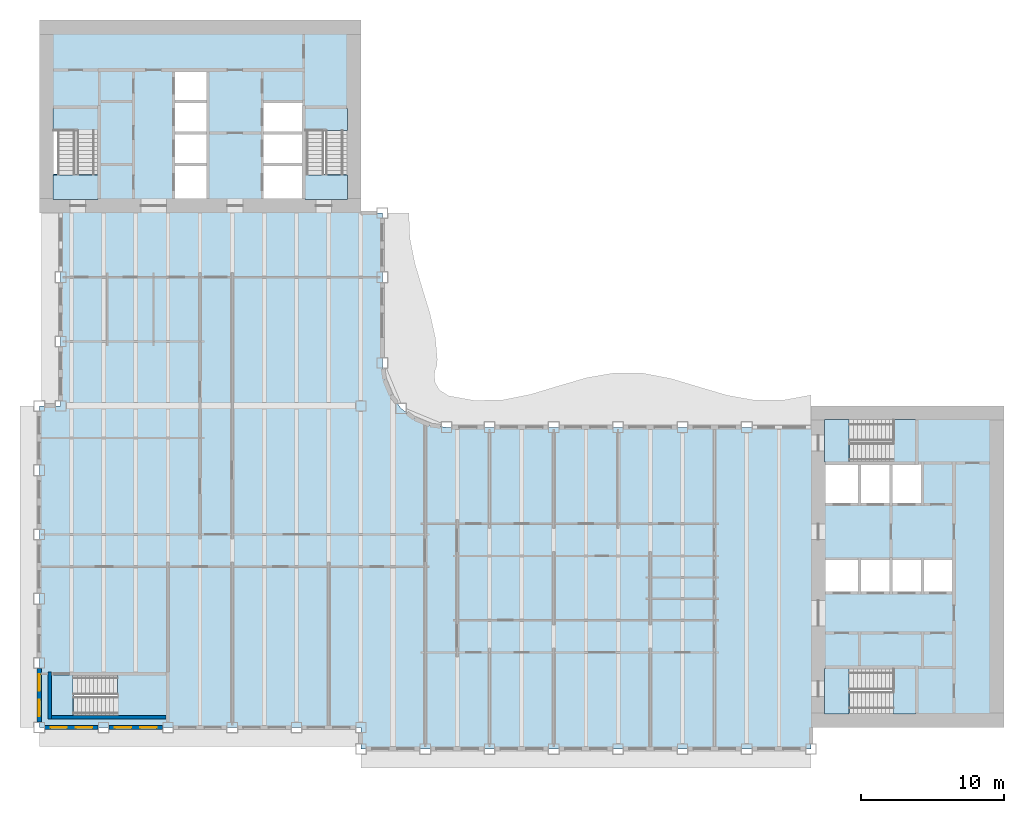
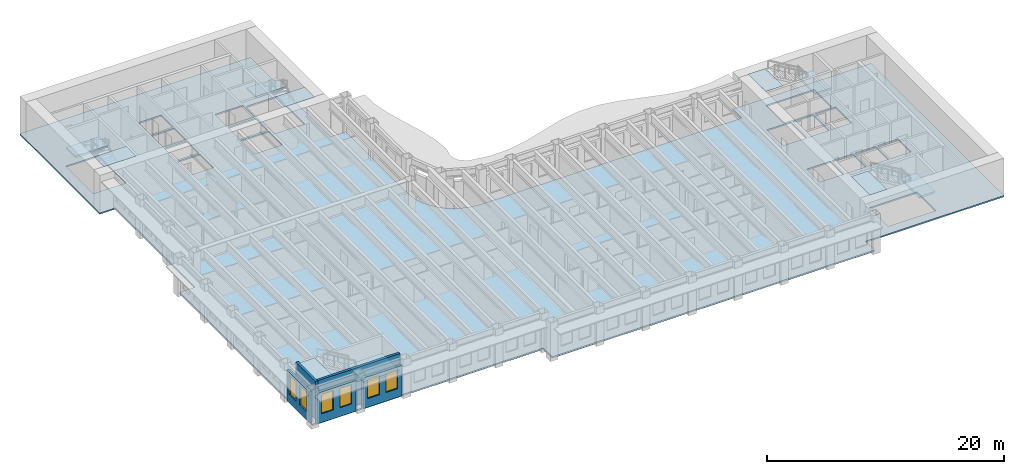
# One storey, part 2 of 16: 11 slabs, 6 windows, 5 walls, 6 openings, 5 elements without a shape of their own.
"""IFC4 building model written with IfcOpenShell, lengths in metres."""

from ifc_helpers import new_model, si_unit, direction, frame, frame_2d, origin, place, context, subcontext, project, spatial, polyline, rectangle, outline, extrude, material, layer, layer_set, type_object, element, fill, aggregate, save


model = new_model("IFC4")

# Units and contexts
model_context = context("Model", 3, precision=1e-05, world=origin(), true_north=direction((0.0, 1.0)))
body_context = subcontext(model_context, "Body", "Model", "MODEL_VIEW")
ifc_project = project(units=[si_unit("LENGTHUNIT", "METRE"), si_unit("AREAUNIT", "SQUARE_METRE"), si_unit("VOLUMEUNIT", "CUBIC_METRE"), si_unit("PLANEANGLEUNIT", "RADIAN"), si_unit("MASSUNIT", "GRAM", prefix="KILO")], contexts=[model_context])

# Site, building, storey
site_placement = place(None, origin())
site = spatial("IfcSite", under=ifc_project, at=site_placement, CompositionType="ELEMENT")
building_placement = place(site_placement, origin())
building = spatial("IfcBuilding", under=site, at=building_placement, Name="Sennacour Bend Tower", CompositionType="ELEMENT")
storey_placement = place(building_placement, frame((0.0, 0.0, 211.0)))
storey = spatial("IfcBuildingStorey", under=building, at=storey_placement, Name="L48", CompositionType="ELEMENT", Elevation=211.0)

# Slabs
ifc_material_1 = material(Name="Concrete C30/37", Category="concrete")
ifc_layer_1 = layer(ifc_material_1, 0.14990234375, Name="Concrete C30/37", Category="concrete")
ifc_layer_set_1 = layer_set([ifc_layer_1], Name="Concrete C30/37")
slab_type_1 = type_object("IfcSlabType", Name="Floor slab 150", PredefinedType="FLOOR", material=ifc_layer_set_1)
slab_1_placement = place(storey_placement, frame((0.0, 0.0, -0.14990234375)))
element("IfcSlab", 1, at=slab_1_placement, inside=storey, type_object=slab_type_1, Name="Floor slab L48-01", PredefinedType="FLOOR", context=body_context, shape_type="SweptSolid", body=[
    extrude(outline(polyline([(22.5, 0.0), (0.0, 0.0), (0.0, 22.5), (1.5, 22.5), (1.5, 36.0), (0.0, 36.0), (0.0, 49.5), (22.5, 49.5), (22.5, 36.0), (24.0, 36.0), (24.0, 25.5), (24.1533203125, 24.335205078125), (24.602783203125, 23.25), (25.318115234375, 22.318115234375), (26.25, 21.602783203125), (27.335205078125, 21.1533203125), (28.5, 21.0), (54.0, 21.0), (54.0, 22.5), (67.5, 22.5), (67.5, 0.0), (54.0, 0.0), (54.0, -1.5), (22.5, -1.5), (22.5, 0.0)]), holes=[polyline([(8.800048828125, 0.949951171875), (8.800048828125, 3.5), (2.429931640625, 3.5), (2.429931640625, 0.949951171875), (8.800048828125, 0.949951171875)]), polyline([(11.699951171875, 37.0), (11.699951171875, 39.300048828125), (9.5, 39.300048828125), (9.5, 37.0), (11.699951171875, 37.0)]), polyline([(18.39990234375, 37.0), (18.39990234375, 39.300048828125), (15.699951171875, 39.300048828125), (15.699951171875, 37.0), (18.39990234375, 37.0)]), polyline([(11.699951171875, 39.5), (11.699951171875, 41.5), (9.5, 41.5), (9.5, 39.5), (11.699951171875, 39.5)]), polyline([(18.39990234375, 39.5), (18.39990234375, 41.5), (15.699951171875, 41.5), (15.699951171875, 39.5), (18.39990234375, 39.5)]), polyline([(4.125, 38.72998046875), (4.125, 43.39990234375), (0.949951171875, 43.39990234375), (0.949951171875, 38.72998046875), (4.125, 38.72998046875)]), polyline([(21.550048828125, 38.72998046875), (21.550048828125, 43.39990234375), (18.574951171875, 43.39990234375), (18.574951171875, 38.72998046875), (21.550048828125, 38.72998046875)]), polyline([(9.5, 41.699951171875), (11.699951171875, 41.699951171875), (11.699951171875, 43.699951171875), (9.5, 43.699951171875), (9.5, 41.699951171875)]), polyline([(15.699951171875, 41.699951171875), (18.39990234375, 41.699951171875), (18.39990234375, 43.699951171875), (15.699951171875, 43.699951171875), (15.699951171875, 41.699951171875)]), polyline([(11.699951171875, 43.89990234375), (11.699951171875, 45.89990234375), (9.5, 45.89990234375), (9.5, 43.89990234375), (11.699951171875, 43.89990234375)]), polyline([(61.39990234375, 0.949951171875), (61.39990234375, 4.125), (56.72998046875, 4.125), (56.72998046875, 0.949951171875), (61.39990234375, 0.949951171875)]), polyline([(57.300048828125, 9.5), (57.300048828125, 11.699951171875), (55.0, 11.699951171875), (55.0, 9.5), (57.300048828125, 9.5)]), polyline([(57.5, 9.5), (59.5, 9.5), (59.5, 11.699951171875), (57.5, 11.699951171875), (57.5, 9.5)]), polyline([(59.699951171875, 9.5), (61.699951171875, 9.5), (61.699951171875, 11.699951171875), (59.699951171875, 11.699951171875), (59.699951171875, 9.5)]), polyline([(63.89990234375, 9.5), (63.89990234375, 11.699951171875), (61.89990234375, 11.699951171875), (61.89990234375, 9.5), (63.89990234375, 9.5)]), polyline([(57.300048828125, 15.699951171875), (57.300048828125, 18.39990234375), (55.0, 18.39990234375), (55.0, 15.699951171875), (57.300048828125, 15.699951171875)]), polyline([(59.5, 15.699951171875), (59.5, 18.39990234375), (57.5, 18.39990234375), (57.5, 15.699951171875), (59.5, 15.699951171875)]), polyline([(59.699951171875, 15.699951171875), (61.699951171875, 15.699951171875), (61.699951171875, 18.39990234375), (59.699951171875, 18.39990234375), (59.699951171875, 15.699951171875)]), polyline([(56.72998046875, 18.574951171875), (61.39990234375, 18.574951171875), (61.39990234375, 21.550048828125), (56.72998046875, 21.550048828125), (56.72998046875, 18.574951171875)])]), origin(), (0.0, 0.0, 1.0), 0.14990234375),
])
ifc_material_2 = material(Name="Concrete C40/50", Category="concrete")
ifc_layer_2 = layer(ifc_material_2, 0.034912109375, Name="Concrete C40/50", Category="concrete")
ifc_layer_set_2 = layer_set([ifc_layer_2], Name="Concrete C40/50")
slab_type_2 = type_object("IfcSlabType", Name="Stair arrival nib 35", PredefinedType="FLOOR", material=ifc_layer_set_2)
slab_2_placement = place(storey_placement, frame((0.0, 0.0, 3.815185546875)))
element("IfcSlab", 2, at=slab_2_placement, inside=storey, type_object=slab_type_2, Name="L48 SA1 stair arrival nib", PredefinedType="FLOOR", context=body_context, shape_type="SweptSolid", body=[
    extrude(outline(polyline([(56.64208984375, 4.125), (54.949951171875, 4.125), (54.949951171875, 0.949951171875), (56.64208984375, 0.949951171875), (56.64208984375, 4.125)])), origin(), (0.0, 0.0, 1.0), 0.034912109375),
])
slab_3_placement = place(storey_placement, frame((0.0, 0.0, 3.815185546875)))
element("IfcSlab", 3, at=slab_3_placement, inside=storey, type_object=slab_type_2, Name="L48 SA2 stair arrival nib", PredefinedType="FLOOR", context=body_context, shape_type="SweptSolid", body=[
    extrude(outline(polyline([(56.64208984375, 21.550048828125), (54.949951171875, 21.550048828125), (54.949951171875, 18.574951171875), (56.64208984375, 18.574951171875), (56.64208984375, 21.550048828125)])), origin(), (0.0, 0.0, 1.0), 0.034912109375),
])
slab_4_placement = place(storey_placement, frame((0.0, 0.0, 3.815185546875)))
element("IfcSlab", 4, at=slab_4_placement, inside=storey, type_object=slab_type_2, Name="L48 SB1 stair arrival nib", PredefinedType="FLOOR", context=body_context, shape_type="SweptSolid", body=[
    extrude(outline(polyline([(0.949951171875, 38.64208984375), (0.949951171875, 36.949951171875), (4.125, 36.949951171875), (4.125, 38.64208984375), (0.949951171875, 38.64208984375)])), origin(), (0.0, 0.0, 1.0), 0.034912109375),
])
slab_5_placement = place(storey_placement, frame((0.0, 0.0, 3.815185546875)))
element("IfcSlab", 5, at=slab_5_placement, inside=storey, type_object=slab_type_2, Name="L48 SB2 stair arrival nib", PredefinedType="FLOOR", context=body_context, shape_type="SweptSolid", body=[
    extrude(outline(polyline([(18.574951171875, 38.64208984375), (18.574951171875, 36.949951171875), (21.550048828125, 36.949951171875), (21.550048828125, 38.64208984375), (18.574951171875, 38.64208984375)])), origin(), (0.0, 0.0, 1.0), 0.034912109375),
])
slab_6_placement = place(storey_placement, frame((0.0, 0.0, 3.815185546875)))
element("IfcSlab", 6, at=slab_6_placement, inside=storey, type_object=slab_type_2, Name="L48 SK1 stair arrival nib", PredefinedType="FLOOR", context=body_context, shape_type="SweptSolid", body=[
    extrude(outline(polyline([(2.342041015625, 3.675048828125), (0.800048828125, 3.675048828125), (0.800048828125, 0.800048828125), (2.342041015625, 0.800048828125), (2.342041015625, 3.675048828125)])), origin(), (0.0, 0.0, 1.0), 0.034912109375),
])

# Stair, slab
stair_type = type_object("IfcStairType", Name="ST-DOGLEG", PredefinedType="HALF_TURN_STAIR", material=ifc_material_2)
stair_1_placement = place(storey_placement, origin())
stair_1 = element("IfcStair", 7, at=stair_1_placement, inside=storey, type_object=stair_type, Name="L48 Exit stair A1", PredefinedType="HALF_TURN_STAIR")
ifc_layer_3 = layer(ifc_material_2, 0.199951171875, Name="Concrete C40/50", Category="concrete")
ifc_layer_set_3 = layer_set([ifc_layer_3], Name="Concrete C40/50")
slab_type_3 = type_object("IfcSlabType", Name="Stair landing 200", PredefinedType="LANDING", material=ifc_layer_set_3)
slab_7_placement = place(storey_placement, frame((0.0, 0.0, 1.800048828125)))
slab_7 = element("IfcSlab", 8, at=slab_7_placement, type_object=slab_type_3, Name="SA1 landing 1", PredefinedType="LANDING", context=body_context, shape_type="SweptSolid", body=[
    extrude(outline(polyline([(59.780029296875, 0.949951171875), (61.324951171875, 0.949951171875), (61.324951171875, 4.125), (59.780029296875, 4.125), (59.780029296875, 0.949951171875)])), origin(), (0.0, 0.0, 1.0), 0.199951171875),
])
aggregate(stair_1, [slab_7])

stair_2_placement = place(storey_placement, origin())
stair_2 = element("IfcStair", 9, at=stair_2_placement, inside=storey, type_object=stair_type, Name="L48 Exit stair A2", PredefinedType="HALF_TURN_STAIR")
slab_8_placement = place(storey_placement, frame((0.0, 0.0, 1.800048828125)))
slab_8 = element("IfcSlab", 10, at=slab_8_placement, type_object=slab_type_3, Name="SA2 landing 1", PredefinedType="LANDING", context=body_context, shape_type="SweptSolid", body=[
    extrude(outline(polyline([(59.780029296875, 18.574951171875), (61.324951171875, 18.574951171875), (61.324951171875, 21.550048828125), (59.780029296875, 21.550048828125), (59.780029296875, 18.574951171875)])), origin(), (0.0, 0.0, 1.0), 0.199951171875),
])
aggregate(stair_2, [slab_8])

stair_3_placement = place(storey_placement, origin())
stair_3 = element("IfcStair", 11, at=stair_3_placement, inside=storey, type_object=stair_type, Name="L48 Exit stair B1", PredefinedType="HALF_TURN_STAIR")
slab_9_placement = place(storey_placement, frame((0.0, 0.0, 1.800048828125)))
slab_9 = element("IfcSlab", 12, at=slab_9_placement, type_object=slab_type_3, Name="SB1 landing 1", PredefinedType="LANDING", context=body_context, shape_type="SweptSolid", body=[
    extrude(outline(polyline([(0.949951171875, 41.780029296875), (4.125, 41.780029296875), (4.125, 43.324951171875), (0.949951171875, 43.324951171875), (0.949951171875, 41.780029296875)])), origin(), (0.0, 0.0, 1.0), 0.199951171875),
])
aggregate(stair_3, [slab_9])

stair_4_placement = place(storey_placement, origin())
stair_4 = element("IfcStair", 13, at=stair_4_placement, inside=storey, type_object=stair_type, Name="L48 Exit stair B2", PredefinedType="HALF_TURN_STAIR")
slab_10_placement = place(storey_placement, frame((0.0, 0.0, 1.800048828125)))
slab_10 = element("IfcSlab", 14, at=slab_10_placement, type_object=slab_type_3, Name="SB2 landing 1", PredefinedType="LANDING", context=body_context, shape_type="SweptSolid", body=[
    extrude(outline(polyline([(18.574951171875, 41.780029296875), (21.550048828125, 41.780029296875), (21.550048828125, 43.324951171875), (18.574951171875, 43.324951171875), (18.574951171875, 41.780029296875)])), origin(), (0.0, 0.0, 1.0), 0.199951171875),
])
aggregate(stair_4, [slab_10])

stair_5_placement = place(storey_placement, origin())
stair_5 = element("IfcStair", 15, at=stair_5_placement, inside=storey, type_object=stair_type, Name="L48 Exit stair K1", PredefinedType="HALF_TURN_STAIR")
slab_11_placement = place(storey_placement, frame((0.0, 0.0, 1.800048828125)))
slab_11 = element("IfcSlab", 16, at=slab_11_placement, type_object=slab_type_3, Name="SK1 landing 1", PredefinedType="LANDING", context=body_context, shape_type="SweptSolid", body=[
    extrude(outline(polyline([(5.47998046875, 0.800048828125), (8.925048828125, 0.800048828125), (8.925048828125, 3.675048828125), (5.47998046875, 3.675048828125), (5.47998046875, 0.800048828125)])), origin(), (0.0, 0.0, 1.0), 0.199951171875),
])
aggregate(stair_5, [slab_11])

# Wall, openings, windows
ifc_material_3 = material(Name="Warm limestone cladding", Category="masonry")
ifc_layer_4 = layer(ifc_material_3, 0.050048828125, Name="Warm limestone cladding", Category="masonry")
ifc_material_4 = material(Name="Precast concrete C40/50", Category="concrete")
ifc_layer_5 = layer(ifc_material_4, 0.25, Name="Precast concrete C40/50", Category="concrete")
ifc_layer_set_4 = layer_set([ifc_layer_4, ifc_layer_5], Name="Precast concrete C40/50 with limestone cladding")
wall_type_1 = type_object("IfcWallType", Name="STONE-CLAD PRECAST SPANDREL 300", PredefinedType="STANDARD", material=ifc_layer_set_4)
wall_1_placement = place(storey_placement, frame((0.0, 4.125, 0.0), z_axis=(0.0, 0.0, 1.0), x_axis=(0.0, -1.0, 0.0)))
wall_1 = element("IfcWall", 17, at=wall_1_placement, inside=storey, type_object=wall_type_1, Name="Stone spandrel and pier wall L48 21.04", PredefinedType="STANDARD", context=body_context, shape_type="SweptSolid", body=[
    extrude(rectangle(XDim=3.75, YDim=0.300048828125, at=frame_2d((1.875, 0.0))), origin(), (0.0, 0.0, 1.0), 3.156982421875),
])
opening_1_placement = place(wall_1_placement, frame((0.41259765625, 0.0, 0.89990234375)))
opening_1 = element("IfcOpeningElement", 18, at=opening_1_placement, cuts=wall_1, Name="Opening W24", PredefinedType="OPENING", context=body_context, shape_type="SweptSolid", body=[
    extrude(rectangle(XDim=1.14990234375, YDim=2.0, at=frame_2d((0.574951171875, 1.0))), frame((0.0, 0.16015625, 0.0), z_axis=(0.0, -1.0, 0.0), x_axis=(1.0, 0.0, 0.0)), (0.0, 0.0, 1.0), 0.320068359375),
])
opening_2_placement = place(wall_1_placement, frame((2.1875, 0.0, 0.89990234375)))
opening_2 = element("IfcOpeningElement", 19, at=opening_2_placement, cuts=wall_1, Name="Opening W24", PredefinedType="OPENING", context=body_context, shape_type="SweptSolid", body=[
    extrude(rectangle(XDim=1.14990234375, YDim=2.0, at=frame_2d((0.574951171875, 1.0))), frame((0.0, 0.16015625, 0.0), z_axis=(0.0, -1.0, 0.0), x_axis=(1.0, 0.0, 0.0)), (0.0, 0.0, 1.0), 0.320068359375),
])
ifc_material_5 = material(Name="Clear low-emissivity glass", Category="glass")
window_type = type_object("IfcWindowType", Name="WIN-RIBBON-1150x2000", PartitioningType="SINGLE_PANEL", PredefinedType="WINDOW", material=ifc_material_5)
window_1_placement = place(opening_1_placement, origin())
window_1 = element("IfcWindow", 20, at=window_1_placement, inside=storey, type_object=window_type, Name="Ribbon window L48 21.04.0", OverallHeight=2.0, OverallWidth=1.14990234375, PartitioningType="SINGLE_PANEL", PredefinedType="WINDOW", context=body_context, shape_type="SweptSolid", body=[
    extrude(rectangle(XDim=1.14990234375, YDim=2.0, at=frame_2d((0.574951171875, 1.0))), frame((0.0, 0.030029296875, 0.0), z_axis=(0.0, -1.0, 0.0), x_axis=(1.0, 0.0, 0.0)), (0.0, 0.0, 1.0), 0.06005859375),
])
fill(opening_1, window_1)
window_2_placement = place(opening_2_placement, origin())
window_2 = element("IfcWindow", 21, at=window_2_placement, inside=storey, type_object=window_type, Name="Ribbon window L48 21.04.1", OverallHeight=2.0, OverallWidth=1.14990234375, PartitioningType="SINGLE_PANEL", PredefinedType="WINDOW", context=body_context, shape_type="SweptSolid", body=[
    extrude(rectangle(XDim=1.14990234375, YDim=2.0, at=frame_2d((0.574951171875, 1.0))), frame((0.0, 0.030029296875, 0.0), z_axis=(0.0, -1.0, 0.0), x_axis=(1.0, 0.0, 0.0)), (0.0, 0.0, 1.0), 0.06005859375),
])
fill(opening_2, window_2)

wall_2_placement = place(storey_placement, frame((0.375, 0.0, 0.0), z_axis=(0.0, 0.0, 1.0), x_axis=(1.0, 0.0, 0.0)))
wall_2 = element("IfcWall", 22, at=wall_2_placement, inside=storey, type_object=wall_type_1, Name="Stone spandrel and pier wall L48 22.00", PredefinedType="STANDARD", context=body_context, shape_type="SweptSolid", body=[
    extrude(rectangle(XDim=3.75, YDim=0.300048828125, at=frame_2d((1.875, 0.0))), origin(), (0.0, 0.0, 1.0), 3.156982421875),
])
opening_3_placement = place(wall_2_placement, frame((0.41259765625, 0.0, 0.89990234375)))
opening_3 = element("IfcOpeningElement", 23, at=opening_3_placement, cuts=wall_2, Name="Opening W24", PredefinedType="OPENING", context=body_context, shape_type="SweptSolid", body=[
    extrude(rectangle(XDim=1.14990234375, YDim=2.0, at=frame_2d((0.574951171875, 1.0))), frame((0.0, 0.16015625, 0.0), z_axis=(0.0, -1.0, 0.0), x_axis=(1.0, 0.0, 0.0)), (0.0, 0.0, 1.0), 0.320068359375),
])
opening_4_placement = place(wall_2_placement, frame((2.1875, 0.0, 0.89990234375)))
opening_4 = element("IfcOpeningElement", 24, at=opening_4_placement, cuts=wall_2, Name="Opening W24", PredefinedType="OPENING", context=body_context, shape_type="SweptSolid", body=[
    extrude(rectangle(XDim=1.14990234375, YDim=2.0, at=frame_2d((0.574951171875, 1.0))), frame((0.0, 0.16015625, 0.0), z_axis=(0.0, -1.0, 0.0), x_axis=(1.0, 0.0, 0.0)), (0.0, 0.0, 1.0), 0.320068359375),
])
window_3_placement = place(opening_3_placement, origin())
window_3 = element("IfcWindow", 25, at=window_3_placement, inside=storey, type_object=window_type, Name="Ribbon window L48 22.00.0", OverallHeight=2.0, OverallWidth=1.14990234375, PartitioningType="SINGLE_PANEL", PredefinedType="WINDOW", context=body_context, shape_type="SweptSolid", body=[
    extrude(rectangle(XDim=1.14990234375, YDim=2.0, at=frame_2d((0.574951171875, 1.0))), frame((0.0, 0.030029296875, 0.0), z_axis=(0.0, -1.0, 0.0), x_axis=(1.0, 0.0, 0.0)), (0.0, 0.0, 1.0), 0.06005859375),
])
fill(opening_3, window_3)
window_4_placement = place(opening_4_placement, origin())
window_4 = element("IfcWindow", 26, at=window_4_placement, inside=storey, type_object=window_type, Name="Ribbon window L48 22.00.1", OverallHeight=2.0, OverallWidth=1.14990234375, PartitioningType="SINGLE_PANEL", PredefinedType="WINDOW", context=body_context, shape_type="SweptSolid", body=[
    extrude(rectangle(XDim=1.14990234375, YDim=2.0, at=frame_2d((0.574951171875, 1.0))), frame((0.0, 0.030029296875, 0.0), z_axis=(0.0, -1.0, 0.0), x_axis=(1.0, 0.0, 0.0)), (0.0, 0.0, 1.0), 0.06005859375),
])
fill(opening_4, window_4)

wall_3_placement = place(storey_placement, frame((4.875, 0.0, 0.0), z_axis=(0.0, 0.0, 1.0), x_axis=(1.0, 0.0, 0.0)))
wall_3 = element("IfcWall", 27, at=wall_3_placement, inside=storey, type_object=wall_type_1, Name="Stone spandrel and pier wall L48 22.01", PredefinedType="STANDARD", context=body_context, shape_type="SweptSolid", body=[
    extrude(rectangle(XDim=3.75, YDim=0.300048828125, at=frame_2d((1.875, 0.0))), origin(), (0.0, 0.0, 1.0), 3.156982421875),
])
opening_5_placement = place(wall_3_placement, frame((0.41259765625, 0.0, 0.89990234375)))
opening_5 = element("IfcOpeningElement", 28, at=opening_5_placement, cuts=wall_3, Name="Opening W24", PredefinedType="OPENING", context=body_context, shape_type="SweptSolid", body=[
    extrude(rectangle(XDim=1.14990234375, YDim=2.0, at=frame_2d((0.574951171875, 1.0))), frame((0.0, 0.16015625, 0.0), z_axis=(0.0, -1.0, 0.0), x_axis=(1.0, 0.0, 0.0)), (0.0, 0.0, 1.0), 0.320068359375),
])
opening_6_placement = place(wall_3_placement, frame((2.1875, 0.0, 0.89990234375)))
opening_6 = element("IfcOpeningElement", 29, at=opening_6_placement, cuts=wall_3, Name="Opening W24", PredefinedType="OPENING", context=body_context, shape_type="SweptSolid", body=[
    extrude(rectangle(XDim=1.14990234375, YDim=2.0, at=frame_2d((0.574951171875, 1.0))), frame((0.0, 0.16015625, 0.0), z_axis=(0.0, -1.0, 0.0), x_axis=(1.0, 0.0, 0.0)), (0.0, 0.0, 1.0), 0.320068359375),
])
window_5_placement = place(opening_5_placement, origin())
window_5 = element("IfcWindow", 30, at=window_5_placement, inside=storey, type_object=window_type, Name="Ribbon window L48 22.01.0", OverallHeight=2.0, OverallWidth=1.14990234375, PartitioningType="SINGLE_PANEL", PredefinedType="WINDOW", context=body_context, shape_type="SweptSolid", body=[
    extrude(rectangle(XDim=1.14990234375, YDim=2.0, at=frame_2d((0.574951171875, 1.0))), frame((0.0, 0.030029296875, 0.0), z_axis=(0.0, -1.0, 0.0), x_axis=(1.0, 0.0, 0.0)), (0.0, 0.0, 1.0), 0.06005859375),
])
fill(opening_5, window_5)
window_6_placement = place(opening_6_placement, origin())
window_6 = element("IfcWindow", 31, at=window_6_placement, inside=storey, type_object=window_type, Name="Ribbon window L48 22.01.1", OverallHeight=2.0, OverallWidth=1.14990234375, PartitioningType="SINGLE_PANEL", PredefinedType="WINDOW", context=body_context, shape_type="SweptSolid", body=[
    extrude(rectangle(XDim=1.14990234375, YDim=2.0, at=frame_2d((0.574951171875, 1.0))), frame((0.0, 0.030029296875, 0.0), z_axis=(0.0, -1.0, 0.0), x_axis=(1.0, 0.0, 0.0)), (0.0, 0.0, 1.0), 0.06005859375),
])
fill(opening_6, window_6)

# Walls
ifc_material_6 = material(Name="Concrete C60/75", Category="concrete")
ifc_layer_6 = layer(ifc_material_6, 0.25, Name="Concrete C60/75", Category="concrete")
ifc_layer_set_5 = layer_set([ifc_layer_6], Name="Concrete C60/75")
wall_type_2 = type_object("IfcWallType", Name="Stair wall 250", PredefinedType="SHEAR", material=ifc_layer_set_5)
wall_4_placement = place(storey_placement, frame((0.72509765625, 0.60009765625, 0.0), z_axis=(0.0, 0.0, 1.0), x_axis=(0.0, 1.0, 0.0)))
element("IfcWall", 32, at=wall_4_placement, inside=storey, type_object=wall_type_2, Name="P-L48-W002", PredefinedType="SHEAR", context=body_context, shape_type="SweptSolid", body=[
    extrude(rectangle(XDim=3.27490234375, YDim=0.25, at=frame_2d((1.637451171875, 0.0))), origin(), (0.0, 0.0, 1.0), 3.85009765625),
])
wall_5_placement = place(storey_placement, frame((0.85009765625, 0.72509765625, 0.0), z_axis=(0.0, 0.0, 1.0), x_axis=(1.0, 0.0, 0.0)))
element("IfcWall", 33, at=wall_5_placement, inside=storey, type_object=wall_type_2, Name="P-L48-W050", PredefinedType="SHEAR", context=body_context, shape_type="SweptSolid", body=[
    extrude(rectangle(XDim=8.02490234375, YDim=0.25, at=frame_2d((4.012451171875, 0.0))), origin(), (0.0, 0.0, 1.0), 3.85009765625),
])

save(model, "model.ifc")
